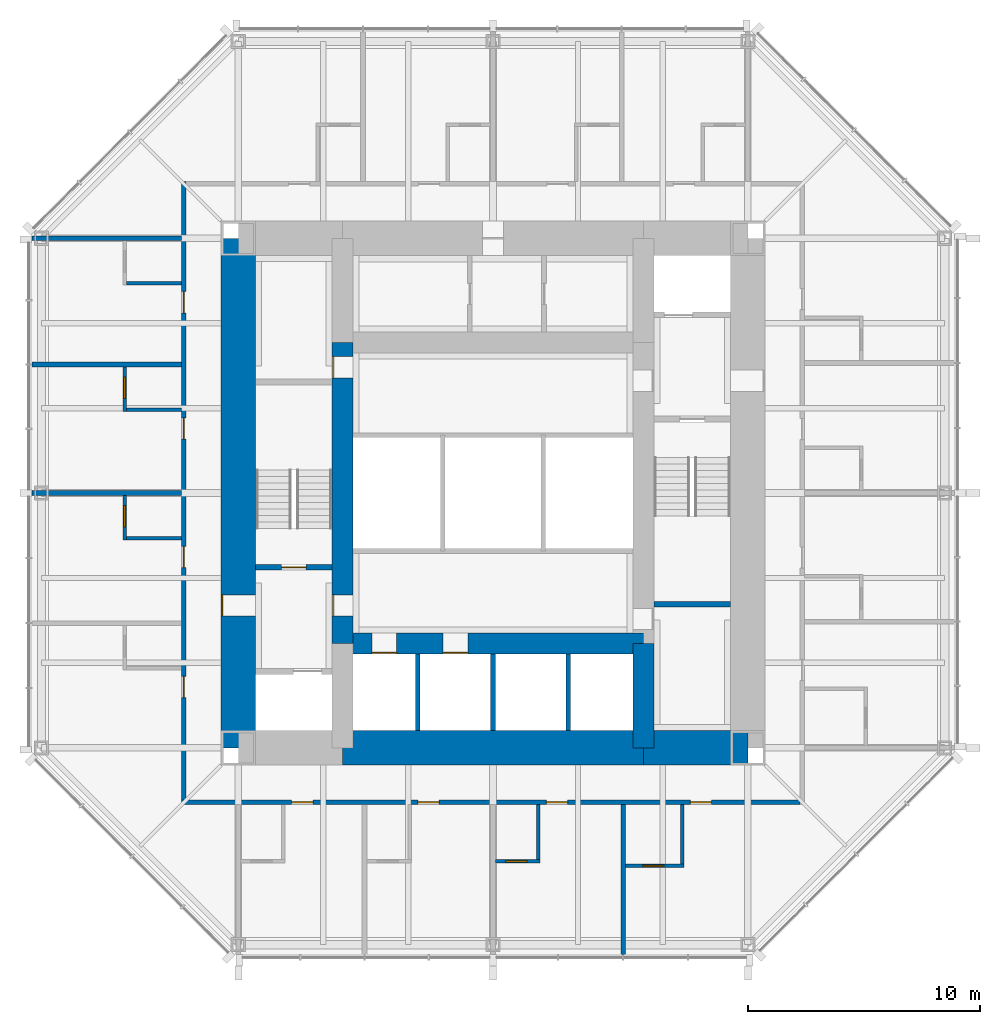
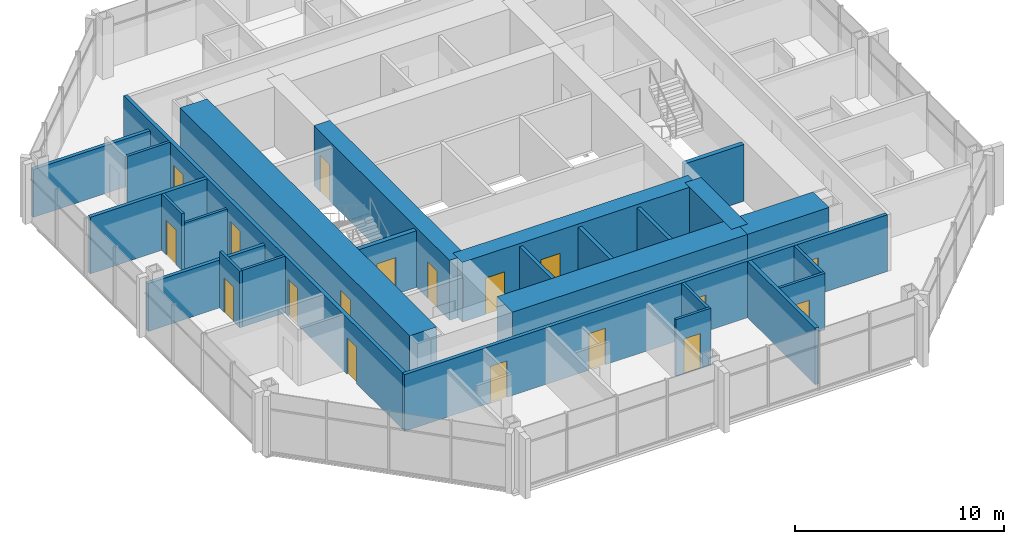
# One storey, part 8 of 12: 26 walls, 18 doors, 18 openings.
"""IFC4 building model written with IfcOpenShell, lengths in metres."""

from ifc_helpers import new_model, si_unit, direction, frame, frame_2d, origin, place, context, subcontext, project, spatial, rectangle, extrude, material, layer, layer_set, type_object, element, fill, save


model = new_model("IFC4")

# Units and contexts
model_context = context("Model", 3, precision=1e-05, world=origin(), true_north=direction((0.0, 1.0)))
body_context = subcontext(model_context, "Body", "Model", "MODEL_VIEW")
ifc_project = project(units=[si_unit("LENGTHUNIT", "METRE"), si_unit("AREAUNIT", "SQUARE_METRE"), si_unit("VOLUMEUNIT", "CUBIC_METRE"), si_unit("PLANEANGLEUNIT", "RADIAN"), si_unit("MASSUNIT", "GRAM", prefix="KILO")], contexts=[model_context])

# Site, building, storey
site_placement = place(None, origin())
site = spatial("IfcSite", under=ifc_project, at=site_placement, CompositionType="ELEMENT")
building_placement = place(site_placement, origin())
building = spatial("IfcBuilding", under=site, at=building_placement, Name="Trevanion Tower", CompositionType="ELEMENT")
storey_placement = place(building_placement, frame((0.0, 0.0, 190.699951171875)))
storey = spatial("IfcBuildingStorey", under=building, at=storey_placement, Name="L44", CompositionType="ELEMENT", Elevation=190.699951171875)

# Wall, opening, door
ifc_material_1 = material(Name="Concrete 10,000 psi", Category="concrete")
ifc_layer_1 = layer(ifc_material_1, 1.5)
ifc_layer_set_1 = layer_set([ifc_layer_1], Name="CW1 core wall 1500")
wall_type_1 = type_object("IfcWallType", Name="CW1 core wall 1500", PredefinedType="SHEAR", material=ifc_layer_set_1)
wall_1_placement = place(storey_placement, frame((-11.0, 11.0, 0.0), z_axis=(0.0, 0.0, 1.0), x_axis=(0.0, -1.0, 0.0)))
wall_1 = element("IfcWall", 1, at=wall_1_placement, inside=storey, type_object=wall_type_1, Name="CW1 CW L44", PredefinedType="SHEAR", context=body_context, shape_type="SweptSolid", body=[
    extrude(rectangle(XDim=22.0, YDim=1.5, at=frame_2d((11.0, 0.0))), origin(), (0.0, 0.0, 1.0), 3.5),
])
opening_1_placement = place(wall_1_placement, frame((15.392578125, 0.0, 0.0)))
opening_1 = element("IfcOpeningElement", 2, at=opening_1_placement, cuts=wall_1, Name="Opening 44-002", PredefinedType="OPENING", context=body_context, shape_type="SweptSolid", body=[
    extrude(rectangle(XDim=0.9150390625, YDim=2.134033203125, at=frame_2d((0.45751953125, 1.06689453125))), frame((0.0, 0.760009765625, 0.0), z_axis=(0.0, -1.0, 0.0), x_axis=(1.0, 0.0, 0.0)), (0.0, 0.0, 1.0), 1.52001953125),
])
ifc_material_2 = material(Name="Hollow metal, fire rated", Category="steel")
door_type_1 = type_object("IfcDoorType", Name="D3 fire lift lobby door", OperationType="SINGLE_SWING_RIGHT", PredefinedType="DOOR", material=ifc_material_2)
door_1_placement = place(opening_1_placement, origin())
door_1 = element("IfcDoor", 3, at=door_1_placement, inside=storey, type_object=door_type_1, Name="Door 44-002", OperationType="SINGLE_SWING_RIGHT", OverallHeight=2.134033203125, OverallWidth=0.9150390625, PredefinedType="DOOR", context=body_context, shape_type="SweptSolid", body=[
    extrude(rectangle(XDim=0.9150390625, YDim=2.134033203125, at=frame_2d((0.45751953125, 1.06689453125))), frame((0.0, -0.6748046875, 0.0), z_axis=(0.0, -1.0, 0.0), x_axis=(1.0, 0.0, 0.0)), (0.0, 0.0, 1.0), 0.050048828125),
])
fill(opening_1, door_1)

# Walls
wall_2_placement = place(storey_placement, frame((-6.5, -11.0, 0.0), z_axis=(0.0, 0.0, 1.0), x_axis=(1.0, 0.0, 0.0)))
element("IfcWall", 4, at=wall_2_placement, inside=storey, type_object=wall_type_1, Name="CW1 CS2 L44", PredefinedType="SHEAR", context=body_context, shape_type="SweptSolid", body=[
    extrude(rectangle(XDim=13.0, YDim=1.5, at=frame_2d((6.5, 0.0))), origin(), (0.0, 0.0, 1.0), 3.5),
])
wall_3_placement = place(storey_placement, frame((6.5, -11.0, 0.0), z_axis=(0.0, 0.0, 1.0), x_axis=(1.0, 0.0, 0.0)))
element("IfcWall", 5, at=wall_3_placement, inside=storey, type_object=wall_type_1, Name="CW1 CS3 L44", PredefinedType="SHEAR", context=body_context, shape_type="SweptSolid", body=[
    extrude(rectangle(XDim=4.5, YDim=1.5, at=frame_2d((2.25, 0.0))), origin(), (0.0, 0.0, 1.0), 3.5),
])
ifc_material_3 = material(Name="Concrete 10,000 psi", Category="concrete")
ifc_layer_2 = layer(ifc_material_3, 0.89990234375)
ifc_layer_set_2 = layer_set([ifc_layer_2], Name="CW2 core wall 900")
wall_type_2 = type_object("IfcWallType", Name="CW2 core wall 900", PredefinedType="SHEAR", material=ifc_layer_set_2)
wall_4_placement = place(storey_placement, frame((6.5, -11.0, 0.0), z_axis=(0.0, 0.0, 1.0), x_axis=(0.0, 1.0, 0.0)))
element("IfcWall", 6, at=wall_4_placement, inside=storey, type_object=wall_type_2, Name="CW2 RE1 L44", PredefinedType="SHEAR", context=body_context, shape_type="SweptSolid", body=[
    extrude(rectangle(XDim=4.5, YDim=0.89990234375, at=frame_2d((2.25, 0.0))), origin(), (0.0, 0.0, 1.0), 3.5),
])

# Wall, openings, doors
wall_5_placement = place(storey_placement, frame((-6.5, 6.5, 0.0), z_axis=(0.0, 0.0, 1.0), x_axis=(0.0, -1.0, 0.0)))
wall_5 = element("IfcWall", 7, at=wall_5_placement, inside=storey, type_object=wall_type_2, Name="CW2 RW2 L44", PredefinedType="SHEAR", context=body_context, shape_type="SweptSolid", body=[
    extrude(rectangle(XDim=13.0, YDim=0.89990234375, at=frame_2d((6.5, 0.0))), origin(), (0.0, 0.0, 1.0), 3.5),
])
opening_2_placement = place(wall_5_placement, frame((10.892578125, 0.0, 0.0)))
opening_2 = element("IfcOpeningElement", 8, at=opening_2_placement, cuts=wall_5, Name="Opening 44-004", PredefinedType="OPENING", context=body_context, shape_type="SweptSolid", body=[
    extrude(rectangle(XDim=0.9150390625, YDim=2.134033203125, at=frame_2d((0.45751953125, 1.06689453125))), frame((0.0, 0.4599609375, 0.0), z_axis=(0.0, -1.0, 0.0), x_axis=(1.0, 0.0, 0.0)), (0.0, 0.0, 1.0), 0.919921875),
])
opening_3_placement = place(wall_5_placement, frame((0.610107421875, 0.0, 0.0)))
opening_3 = element("IfcOpeningElement", 9, at=opening_3_placement, cuts=wall_5, Name="Opening 44-010", PredefinedType="OPENING", context=body_context, shape_type="SweptSolid", body=[
    extrude(rectangle(XDim=0.9150390625, YDim=2.134033203125, at=frame_2d((0.45751953125, 1.06689453125))), frame((0.0, 0.4599609375, 0.0), z_axis=(0.0, -1.0, 0.0), x_axis=(1.0, 0.0, 0.0)), (0.0, 0.0, 1.0), 0.919921875),
])
door_2_placement = place(opening_2_placement, origin())
door_2 = element("IfcDoor", 10, at=door_2_placement, inside=storey, type_object=door_type_1, Name="Door 44-004", OperationType="SINGLE_SWING_RIGHT", OverallHeight=2.134033203125, OverallWidth=0.9150390625, PredefinedType="DOOR", context=body_context, shape_type="SweptSolid", body=[
    extrude(rectangle(XDim=0.9150390625, YDim=2.134033203125, at=frame_2d((0.45751953125, 1.06689453125))), frame((0.0, -0.375, 0.0), z_axis=(0.0, -1.0, 0.0), x_axis=(1.0, 0.0, 0.0)), (0.0, 0.0, 1.0), 0.050048828125),
])
fill(opening_2, door_2)
ifc_material_4 = material(Name="Hollow metal, fire rated", Category="steel")
door_type_2 = type_object("IfcDoorType", Name="D5 service room door", OperationType="SINGLE_SWING_RIGHT", PredefinedType="DOOR", material=ifc_material_4)
door_3_placement = place(opening_3_placement, origin())
door_3 = element("IfcDoor", 11, at=door_3_placement, inside=storey, type_object=door_type_2, Name="Door 44-010", OperationType="SINGLE_SWING_RIGHT", OverallHeight=2.134033203125, OverallWidth=0.9150390625, PredefinedType="DOOR", context=body_context, shape_type="SweptSolid", body=[
    extrude(rectangle(XDim=0.9150390625, YDim=2.134033203125, at=frame_2d((0.45751953125, 1.06689453125))), frame((0.0, -0.375, 0.0), z_axis=(0.0, -1.0, 0.0), x_axis=(1.0, 0.0, 0.0)), (0.0, 0.0, 1.0), 0.050048828125),
])
fill(opening_3, door_3)

wall_6_placement = place(storey_placement, frame((-6.5, -6.5, 0.0), z_axis=(0.0, 0.0, 1.0), x_axis=(1.0, 0.0, 0.0)))
wall_6 = element("IfcWall", 12, at=wall_6_placement, inside=storey, type_object=wall_type_2, Name="CW2 RS L44", PredefinedType="SHEAR", context=body_context, shape_type="SweptSolid", body=[
    extrude(rectangle(XDim=13.0, YDim=0.89990234375, at=frame_2d((6.5, 0.0))), origin(), (0.0, 0.0, 1.0), 3.5),
])
opening_4_placement = place(wall_6_placement, frame((1.2666015625, 0.0, 0.0)))
opening_4 = element("IfcOpeningElement", 13, at=opening_4_placement, cuts=wall_6, Name="Opening 44-011", PredefinedType="OPENING", context=body_context, shape_type="SweptSolid", body=[
    extrude(rectangle(XDim=1.06689453125, YDim=2.134033203125, at=frame_2d((0.533447265625, 1.06689453125))), frame((0.0, 0.4599609375, 0.0), z_axis=(0.0, -1.0, 0.0), x_axis=(1.0, 0.0, 0.0)), (0.0, 0.0, 1.0), 0.919921875),
])
opening_5_placement = place(wall_6_placement, frame((4.341552734375, 0.0, 0.0)))
opening_5 = element("IfcOpeningElement", 14, at=opening_5_placement, cuts=wall_6, Name="Opening 44-012", PredefinedType="OPENING", context=body_context, shape_type="SweptSolid", body=[
    extrude(rectangle(XDim=1.06689453125, YDim=2.134033203125, at=frame_2d((0.533447265625, 1.06689453125))), frame((0.0, 0.4599609375, 0.0), z_axis=(0.0, -1.0, 0.0), x_axis=(1.0, 0.0, 0.0)), (0.0, 0.0, 1.0), 0.919921875),
])
ifc_material_5 = material(Name="Stainless steel, fire rated", Category="steel")
door_type_3 = type_object("IfcDoorType", Name="LD1 lift landing door", OperationType="SLIDING_TO_LEFT", PredefinedType="DOOR", material=ifc_material_5)
door_4_placement = place(opening_4_placement, origin())
door_4 = element("IfcDoor", 15, at=door_4_placement, inside=storey, type_object=door_type_3, Name="Door 44-011", OperationType="SLIDING_TO_LEFT", OverallHeight=2.134033203125, OverallWidth=1.06689453125, PredefinedType="DOOR", context=body_context, shape_type="SweptSolid", body=[
    extrude(rectangle(XDim=1.06689453125, YDim=2.134033203125, at=frame_2d((0.533447265625, 1.06689453125))), frame((0.0, -0.375, 0.0), z_axis=(0.0, -1.0, 0.0), x_axis=(1.0, 0.0, 0.0)), (0.0, 0.0, 1.0), 0.050048828125),
])
fill(opening_4, door_4)
door_5_placement = place(opening_5_placement, origin())
door_5 = element("IfcDoor", 16, at=door_5_placement, inside=storey, type_object=door_type_3, Name="Door 44-012", OperationType="SLIDING_TO_LEFT", OverallHeight=2.134033203125, OverallWidth=1.06689453125, PredefinedType="DOOR", context=body_context, shape_type="SweptSolid", body=[
    extrude(rectangle(XDim=1.06689453125, YDim=2.134033203125, at=frame_2d((0.533447265625, 1.06689453125))), frame((0.0, -0.375, 0.0), z_axis=(0.0, -1.0, 0.0), x_axis=(1.0, 0.0, 0.0)), (0.0, 0.0, 1.0), 0.050048828125),
])
fill(opening_5, door_5)

# Wall
ifc_material_6 = material(Name="Gypsum board on steel studs", Category="steel")
ifc_layer_3 = layer(ifc_material_6, 0.14990234375)
ifc_layer_set_3 = layer_set([ifc_layer_3], Name="PT1 partition 150")
wall_type_3 = type_object("IfcWallType", Name="PT1 partition 150", PredefinedType="PARTITIONING", material=ifc_layer_set_3)
wall_7_placement = place(storey_placement, frame((-13.449951171875, 9.050048828125, 0.0), z_axis=(0.0, 0.0, 1.0), x_axis=(-1.0, 0.0, 0.0)))
element("IfcWall", 17, at=wall_7_placement, inside=storey, type_object=wall_type_3, Name="PT1 L44 BB20", PredefinedType="PARTITIONING", context=body_context, shape_type="SweptSolid", body=[
    extrude(rectangle(XDim=2.375, YDim=0.14990234375, at=frame_2d((1.1875, 0.0))), origin(), (0.0, 0.0, 1.0), 3.31005859375),
])

# Wall, opening, door
wall_8_placement = place(storey_placement, frame((-15.89990234375, 5.448974609375, 0.0), z_axis=(0.0, 0.0, 1.0), x_axis=(0.0, -1.0, 0.0)))
wall_8 = element("IfcWall", 18, at=wall_8_placement, inside=storey, type_object=wall_type_3, Name="PT1 L44 BA21", PredefinedType="PARTITIONING", context=body_context, shape_type="SweptSolid", body=[
    extrude(rectangle(XDim=1.925048828125, YDim=0.14990234375, at=frame_2d((0.96240234375, 0.0))), origin(), (0.0, 0.0, 1.0), 3.31005859375),
])
opening_6_placement = place(wall_8_placement, frame((0.4423828125, 0.0, 0.0)))
opening_6 = element("IfcOpeningElement", 19, at=opening_6_placement, cuts=wall_8, Name="Opening 44-034", PredefinedType="OPENING", context=body_context, shape_type="SweptSolid", body=[
    extrude(rectangle(XDim=0.9150390625, YDim=2.031982421875, at=frame_2d((0.45751953125, 1.01611328125))), frame((0.0, 0.0849609375, 0.0), z_axis=(0.0, -1.0, 0.0), x_axis=(1.0, 0.0, 0.0)), (0.0, 0.0, 1.0), 0.169921875),
])
ifc_material_7 = material(Name="Timber veneer", Category="wood")
door_type_4 = type_object("IfcDoorType", Name="D7 bathroom door", OperationType="SINGLE_SWING_LEFT", PredefinedType="DOOR", material=ifc_material_7)
door_6_placement = place(opening_6_placement, origin())
door_6 = element("IfcDoor", 20, at=door_6_placement, inside=storey, type_object=door_type_4, Name="Door 44-034", OperationType="SINGLE_SWING_LEFT", OverallHeight=2.031982421875, OverallWidth=0.9150390625, PredefinedType="DOOR", context=body_context, shape_type="SweptSolid", body=[
    extrude(rectangle(XDim=0.9150390625, YDim=2.031982421875, at=frame_2d((0.45751953125, 1.01611328125))), frame((0.0, 0.02490234375, 0.0), z_axis=(0.0, -1.0, 0.0), x_axis=(1.0, 0.0, 0.0)), (0.0, 0.0, 1.0), 0.050048828125),
])
fill(opening_6, door_6)

# Wall
wall_9_placement = place(storey_placement, frame((-13.449951171875, 3.59912109375, 0.0), z_axis=(0.0, 0.0, 1.0), x_axis=(-1.0, 0.0, 0.0)))
element("IfcWall", 21, at=wall_9_placement, inside=storey, type_object=wall_type_3, Name="PT1 L44 BB21", PredefinedType="PARTITIONING", context=body_context, shape_type="SweptSolid", body=[
    extrude(rectangle(XDim=2.375, YDim=0.14990234375, at=frame_2d((1.1875, 0.0))), origin(), (0.0, 0.0, 1.0), 2.703125),
])

# Wall, opening, door
wall_10_placement = place(storey_placement, frame((-15.89990234375, -0.10009765625, 0.0), z_axis=(0.0, 0.0, 1.0), x_axis=(0.0, -1.0, 0.0)))
wall_10 = element("IfcWall", 22, at=wall_10_placement, inside=storey, type_object=wall_type_3, Name="PT1 L44 BA22", PredefinedType="PARTITIONING", context=body_context, shape_type="SweptSolid", body=[
    extrude(rectangle(XDim=1.9248046875, YDim=0.14990234375, at=frame_2d((0.96240234375, 0.0))), origin(), (0.0, 0.0, 1.0), 3.31005859375),
])
opening_7_placement = place(wall_10_placement, frame((0.4423828125, 0.0, 0.0)))
opening_7 = element("IfcOpeningElement", 23, at=opening_7_placement, cuts=wall_10, Name="Opening 44-036", PredefinedType="OPENING", context=body_context, shape_type="SweptSolid", body=[
    extrude(rectangle(XDim=0.9150390625, YDim=2.031982421875, at=frame_2d((0.45751953125, 1.01611328125))), frame((0.0, 0.0849609375, 0.0), z_axis=(0.0, -1.0, 0.0), x_axis=(1.0, 0.0, 0.0)), (0.0, 0.0, 1.0), 0.169921875),
])
door_7_placement = place(opening_7_placement, origin())
door_7 = element("IfcDoor", 24, at=door_7_placement, inside=storey, type_object=door_type_4, Name="Door 44-036", OperationType="SINGLE_SWING_LEFT", OverallHeight=2.031982421875, OverallWidth=0.9150390625, PredefinedType="DOOR", context=body_context, shape_type="SweptSolid", body=[
    extrude(rectangle(XDim=0.9150390625, YDim=2.031982421875, at=frame_2d((0.45751953125, 1.01611328125))), frame((0.0, 0.02490234375, 0.0), z_axis=(0.0, -1.0, 0.0), x_axis=(1.0, 0.0, 0.0)), (0.0, 0.0, 1.0), 0.050048828125),
])
fill(opening_7, door_7)

# Wall
wall_11_placement = place(storey_placement, frame((-13.449951171875, -1.949951171875, 0.0), z_axis=(0.0, 0.0, 1.0), x_axis=(-1.0, 0.0, 0.0)))
element("IfcWall", 25, at=wall_11_placement, inside=storey, type_object=wall_type_3, Name="PT1 L44 BB22", PredefinedType="PARTITIONING", context=body_context, shape_type="SweptSolid", body=[
    extrude(rectangle(XDim=2.375, YDim=0.14990234375, at=frame_2d((1.1875, 0.0))), origin(), (0.0, 0.0, 1.0), 3.31005859375),
])

# Wall, opening, door
wall_12_placement = place(storey_placement, frame((0.10009765625, -15.89990234375, 0.0), z_axis=(0.0, 0.0, 1.0), x_axis=(1.0, 0.0, 0.0)))
wall_12 = element("IfcWall", 26, at=wall_12_placement, inside=storey, type_object=wall_type_3, Name="PT1 L44 BA32", PredefinedType="PARTITIONING", context=body_context, shape_type="SweptSolid", body=[
    extrude(rectangle(XDim=1.9248046875, YDim=0.14990234375, at=frame_2d((0.96240234375, 0.0))), origin(), (0.0, 0.0, 1.0), 3.31005859375),
])
opening_8_placement = place(wall_12_placement, frame((0.4423828125, 0.0, 0.0)))
opening_8 = element("IfcOpeningElement", 27, at=opening_8_placement, cuts=wall_12, Name="Opening 44-044", PredefinedType="OPENING", context=body_context, shape_type="SweptSolid", body=[
    extrude(rectangle(XDim=0.9150390625, YDim=2.031982421875, at=frame_2d((0.45751953125, 1.01611328125))), frame((0.0, 0.0849609375, 0.0), z_axis=(0.0, -1.0, 0.0), x_axis=(1.0, 0.0, 0.0)), (0.0, 0.0, 1.0), 0.169921875),
])
door_8_placement = place(opening_8_placement, origin())
door_8 = element("IfcDoor", 28, at=door_8_placement, inside=storey, type_object=door_type_4, Name="Door 44-044", OperationType="SINGLE_SWING_LEFT", OverallHeight=2.031982421875, OverallWidth=0.9150390625, PredefinedType="DOOR", context=body_context, shape_type="SweptSolid", body=[
    extrude(rectangle(XDim=0.9150390625, YDim=2.031982421875, at=frame_2d((0.45751953125, 1.01611328125))), frame((0.0, 0.02490234375, 0.0), z_axis=(0.0, -1.0, 0.0), x_axis=(1.0, 0.0, 0.0)), (0.0, 0.0, 1.0), 0.050048828125),
])
fill(opening_8, door_8)

# Wall
wall_13_placement = place(storey_placement, frame((1.949951171875, -13.449951171875, 0.0), z_axis=(0.0, 0.0, 1.0), x_axis=(0.0, -1.0, 0.0)))
element("IfcWall", 29, at=wall_13_placement, inside=storey, type_object=wall_type_3, Name="PT1 L44 BB32", PredefinedType="PARTITIONING", context=body_context, shape_type="SweptSolid", body=[
    extrude(rectangle(XDim=2.375, YDim=0.14990234375, at=frame_2d((1.1875, 0.0))), origin(), (0.0, 0.0, 1.0), 3.31005859375),
])

# Wall, opening, door
wall_14_placement = place(storey_placement, frame((5.714111328125, -16.10009765625, 0.0), z_axis=(0.0, 0.0, 1.0), x_axis=(1.0, 0.0, 0.0)))
wall_14 = element("IfcWall", 30, at=wall_14_placement, inside=storey, type_object=wall_type_3, Name="PT1 L44 BA33", PredefinedType="PARTITIONING", context=body_context, shape_type="SweptSolid", body=[
    extrude(rectangle(XDim=2.52490234375, YDim=0.14990234375, at=frame_2d((1.262451171875, 0.0))), origin(), (0.0, 0.0, 1.0), 3.31005859375),
])
opening_9_placement = place(wall_14_placement, frame((0.742431640625, 0.0, 0.0)))
opening_9 = element("IfcOpeningElement", 31, at=opening_9_placement, cuts=wall_14, Name="Opening 44-046", PredefinedType="OPENING", context=body_context, shape_type="SweptSolid", body=[
    extrude(rectangle(XDim=0.9150390625, YDim=2.031982421875, at=frame_2d((0.45751953125, 1.01611328125))), frame((0.0, 0.0849609375, 0.0), z_axis=(0.0, -1.0, 0.0), x_axis=(1.0, 0.0, 0.0)), (0.0, 0.0, 1.0), 0.169921875),
])
door_9_placement = place(opening_9_placement, origin())
door_9 = element("IfcDoor", 32, at=door_9_placement, inside=storey, type_object=door_type_4, Name="Door 44-046", OperationType="SINGLE_SWING_LEFT", OverallHeight=2.031982421875, OverallWidth=0.9150390625, PredefinedType="DOOR", context=body_context, shape_type="SweptSolid", body=[
    extrude(rectangle(XDim=0.9150390625, YDim=2.031982421875, at=frame_2d((0.45751953125, 1.01611328125))), frame((0.0, 0.02490234375, 0.0), z_axis=(0.0, -1.0, 0.0), x_axis=(1.0, 0.0, 0.0)), (0.0, 0.0, 1.0), 0.050048828125),
])
fill(opening_9, door_9)

# Wall
wall_15_placement = place(storey_placement, frame((8.1640625, -13.449951171875, 0.0), z_axis=(0.0, 0.0, 1.0), x_axis=(0.0, -1.0, 0.0)))
element("IfcWall", 33, at=wall_15_placement, inside=storey, type_object=wall_type_3, Name="PT1 L44 BB33", PredefinedType="PARTITIONING", context=body_context, shape_type="SweptSolid", body=[
    extrude(rectangle(XDim=2.574951171875, YDim=0.14990234375, at=frame_2d((1.28759765625, 0.0))), origin(), (0.0, 0.0, 1.0), 3.31005859375),
])

# Wall, openings, doors
ifc_material_8 = material(Name="Concrete masonry, grouted", Category="masonry")
ifc_layer_4 = layer(ifc_material_8, 0.199951171875)
ifc_layer_set_4 = layer_set([ifc_layer_4], Name="PT2 partition 200 1 HR")
wall_type_4 = type_object("IfcWallType", Name="PT2 partition 200 1 HR", PredefinedType="PARTITIONING", material=ifc_layer_set_4)
wall_16_placement = place(storey_placement, frame((-13.35009765625, 13.449951171875, 0.0), z_axis=(0.0, 0.0, 1.0), x_axis=(0.0, -1.0, 0.0)))
wall_16 = element("IfcWall", 34, at=wall_16_placement, inside=storey, type_object=wall_type_4, Name="PT2 L44 HC2", PredefinedType="PARTITIONING", context=body_context, shape_type="SweptSolid", body=[
    extrude(rectangle(XDim=26.699951171875, YDim=0.199951171875, at=frame_2d((13.35009765625, 0.0))), origin(), (0.0, 0.0, 1.0), 3.31005859375),
])
opening_10_placement = place(wall_16_placement, frame((4.75244140625, 0.0, 0.0)))
opening_10 = element("IfcOpeningElement", 35, at=opening_10_placement, cuts=wall_16, Name="Opening 44-033", PredefinedType="OPENING", context=body_context, shape_type="SweptSolid", body=[
    extrude(rectangle(XDim=0.9150390625, YDim=2.134033203125, at=frame_2d((0.45751953125, 1.06689453125))), frame((0.0, 0.10986328125, 0.0), z_axis=(0.0, -1.0, 0.0), x_axis=(1.0, 0.0, 0.0)), (0.0, 0.0, 1.0), 0.219970703125),
])
opening_11_placement = place(wall_16_placement, frame((10.20361328125, 0.0, 0.0)))
opening_11 = element("IfcOpeningElement", 36, at=opening_11_placement, cuts=wall_16, Name="Opening 44-035", PredefinedType="OPENING", context=body_context, shape_type="SweptSolid", body=[
    extrude(rectangle(XDim=0.9150390625, YDim=2.134033203125, at=frame_2d((0.45751953125, 1.06689453125))), frame((0.0, 0.10986328125, 0.0), z_axis=(0.0, -1.0, 0.0), x_axis=(1.0, 0.0, 0.0)), (0.0, 0.0, 1.0), 0.219970703125),
])
opening_12_placement = place(wall_16_placement, frame((15.75244140625, 0.0, 0.0)))
opening_12 = element("IfcOpeningElement", 37, at=opening_12_placement, cuts=wall_16, Name="Opening 44-037", PredefinedType="OPENING", context=body_context, shape_type="SweptSolid", body=[
    extrude(rectangle(XDim=0.9150390625, YDim=2.134033203125, at=frame_2d((0.45751953125, 1.06689453125))), frame((0.0, 0.10986328125, 0.0), z_axis=(0.0, -1.0, 0.0), x_axis=(1.0, 0.0, 0.0)), (0.0, 0.0, 1.0), 0.219970703125),
])
opening_13_placement = place(wall_16_placement, frame((21.366455078125, 0.0, 0.0)))
opening_13 = element("IfcOpeningElement", 38, at=opening_13_placement, cuts=wall_16, Name="Opening 44-039", PredefinedType="OPENING", context=body_context, shape_type="SweptSolid", body=[
    extrude(rectangle(XDim=0.9150390625, YDim=2.134033203125, at=frame_2d((0.45751953125, 1.06689453125))), frame((0.0, 0.10986328125, 0.0), z_axis=(0.0, -1.0, 0.0), x_axis=(1.0, 0.0, 0.0)), (0.0, 0.0, 1.0), 0.219970703125),
])
ifc_material_9 = material(Name="Timber veneer, fire rated", Category="wood")
door_type_5 = type_object("IfcDoorType", Name="D6 guest room entrance door", OperationType="SINGLE_SWING_LEFT", PredefinedType="DOOR", material=ifc_material_9)
door_10_placement = place(opening_10_placement, origin())
door_10 = element("IfcDoor", 39, at=door_10_placement, inside=storey, type_object=door_type_5, Name="Door 44-033", OperationType="SINGLE_SWING_LEFT", OverallHeight=2.134033203125, OverallWidth=0.9150390625, PredefinedType="DOOR", context=body_context, shape_type="SweptSolid", body=[
    extrude(rectangle(XDim=0.9150390625, YDim=2.134033203125, at=frame_2d((0.45751953125, 1.06689453125))), frame((0.0, 0.02490234375, 0.0), z_axis=(0.0, -1.0, 0.0), x_axis=(1.0, 0.0, 0.0)), (0.0, 0.0, 1.0), 0.050048828125),
])
fill(opening_10, door_10)
door_11_placement = place(opening_11_placement, origin())
door_11 = element("IfcDoor", 40, at=door_11_placement, inside=storey, type_object=door_type_5, Name="Door 44-035", OperationType="SINGLE_SWING_LEFT", OverallHeight=2.134033203125, OverallWidth=0.9150390625, PredefinedType="DOOR", context=body_context, shape_type="SweptSolid", body=[
    extrude(rectangle(XDim=0.9150390625, YDim=2.134033203125, at=frame_2d((0.45751953125, 1.06689453125))), frame((0.0, 0.02490234375, 0.0), z_axis=(0.0, -1.0, 0.0), x_axis=(1.0, 0.0, 0.0)), (0.0, 0.0, 1.0), 0.050048828125),
])
fill(opening_11, door_11)
door_12_placement = place(opening_12_placement, origin())
door_12 = element("IfcDoor", 41, at=door_12_placement, inside=storey, type_object=door_type_5, Name="Door 44-037", OperationType="SINGLE_SWING_LEFT", OverallHeight=2.134033203125, OverallWidth=0.9150390625, PredefinedType="DOOR", context=body_context, shape_type="SweptSolid", body=[
    extrude(rectangle(XDim=0.9150390625, YDim=2.134033203125, at=frame_2d((0.45751953125, 1.06689453125))), frame((0.0, 0.02490234375, 0.0), z_axis=(0.0, -1.0, 0.0), x_axis=(1.0, 0.0, 0.0)), (0.0, 0.0, 1.0), 0.050048828125),
])
fill(opening_12, door_12)
door_13_placement = place(opening_13_placement, origin())
door_13 = element("IfcDoor", 42, at=door_13_placement, inside=storey, type_object=door_type_5, Name="Door 44-039", OperationType="SINGLE_SWING_LEFT", OverallHeight=2.134033203125, OverallWidth=0.9150390625, PredefinedType="DOOR", context=body_context, shape_type="SweptSolid", body=[
    extrude(rectangle(XDim=0.9150390625, YDim=2.134033203125, at=frame_2d((0.45751953125, 1.06689453125))), frame((0.0, 0.02490234375, 0.0), z_axis=(0.0, -1.0, 0.0), x_axis=(1.0, 0.0, 0.0)), (0.0, 0.0, 1.0), 0.050048828125),
])
fill(opening_13, door_13)

wall_17_placement = place(storey_placement, frame((-13.449951171875, -13.35009765625, 0.0), z_axis=(0.0, 0.0, 1.0), x_axis=(1.0, 0.0, 0.0)))
wall_17 = element("IfcWall", 43, at=wall_17_placement, inside=storey, type_object=wall_type_4, Name="PT2 L44 HC3", PredefinedType="PARTITIONING", context=body_context, shape_type="SweptSolid", body=[
    extrude(rectangle(XDim=26.699951171875, YDim=0.199951171875, at=frame_2d((13.35009765625, 0.0))), origin(), (0.0, 0.0, 1.0), 3.31005859375),
])
opening_14_placement = place(wall_17_placement, frame((4.75244140625, 0.0, 0.0)))
opening_14 = element("IfcOpeningElement", 44, at=opening_14_placement, cuts=wall_17, Name="Opening 44-041", PredefinedType="OPENING", context=body_context, shape_type="SweptSolid", body=[
    extrude(rectangle(XDim=0.9150390625, YDim=2.134033203125, at=frame_2d((0.45751953125, 1.06689453125))), frame((0.0, 0.10986328125, 0.0), z_axis=(0.0, -1.0, 0.0), x_axis=(1.0, 0.0, 0.0)), (0.0, 0.0, 1.0), 0.219970703125),
])
opening_15_placement = place(wall_17_placement, frame((10.20361328125, 0.0, 0.0)))
opening_15 = element("IfcOpeningElement", 45, at=opening_15_placement, cuts=wall_17, Name="Opening 44-043", PredefinedType="OPENING", context=body_context, shape_type="SweptSolid", body=[
    extrude(rectangle(XDim=0.9150390625, YDim=2.134033203125, at=frame_2d((0.45751953125, 1.06689453125))), frame((0.0, 0.10986328125, 0.0), z_axis=(0.0, -1.0, 0.0), x_axis=(1.0, 0.0, 0.0)), (0.0, 0.0, 1.0), 0.219970703125),
])
opening_16_placement = place(wall_17_placement, frame((15.75244140625, 0.0, 0.0)))
opening_16 = element("IfcOpeningElement", 46, at=opening_16_placement, cuts=wall_17, Name="Opening 44-045", PredefinedType="OPENING", context=body_context, shape_type="SweptSolid", body=[
    extrude(rectangle(XDim=0.9150390625, YDim=2.134033203125, at=frame_2d((0.45751953125, 1.06689453125))), frame((0.0, 0.10986328125, 0.0), z_axis=(0.0, -1.0, 0.0), x_axis=(1.0, 0.0, 0.0)), (0.0, 0.0, 1.0), 0.219970703125),
])
opening_17_placement = place(wall_17_placement, frame((21.966552734375, 0.0, 0.0)))
opening_17 = element("IfcOpeningElement", 47, at=opening_17_placement, cuts=wall_17, Name="Opening 44-047", PredefinedType="OPENING", context=body_context, shape_type="SweptSolid", body=[
    extrude(rectangle(XDim=0.9150390625, YDim=2.134033203125, at=frame_2d((0.45751953125, 1.06689453125))), frame((0.0, 0.10986328125, 0.0), z_axis=(0.0, -1.0, 0.0), x_axis=(1.0, 0.0, 0.0)), (0.0, 0.0, 1.0), 0.219970703125),
])
door_14_placement = place(opening_14_placement, origin())
door_14 = element("IfcDoor", 48, at=door_14_placement, inside=storey, type_object=door_type_5, Name="Door 44-041", OperationType="SINGLE_SWING_LEFT", OverallHeight=2.134033203125, OverallWidth=0.9150390625, PredefinedType="DOOR", context=body_context, shape_type="SweptSolid", body=[
    extrude(rectangle(XDim=0.9150390625, YDim=2.134033203125, at=frame_2d((0.45751953125, 1.06689453125))), frame((0.0, 0.02490234375, 0.0), z_axis=(0.0, -1.0, 0.0), x_axis=(1.0, 0.0, 0.0)), (0.0, 0.0, 1.0), 0.050048828125),
])
fill(opening_14, door_14)
door_15_placement = place(opening_15_placement, origin())
door_15 = element("IfcDoor", 49, at=door_15_placement, inside=storey, type_object=door_type_5, Name="Door 44-043", OperationType="SINGLE_SWING_LEFT", OverallHeight=2.134033203125, OverallWidth=0.9150390625, PredefinedType="DOOR", context=body_context, shape_type="SweptSolid", body=[
    extrude(rectangle(XDim=0.9150390625, YDim=2.134033203125, at=frame_2d((0.45751953125, 1.06689453125))), frame((0.0, 0.02490234375, 0.0), z_axis=(0.0, -1.0, 0.0), x_axis=(1.0, 0.0, 0.0)), (0.0, 0.0, 1.0), 0.050048828125),
])
fill(opening_15, door_15)
door_16_placement = place(opening_16_placement, origin())
door_16 = element("IfcDoor", 50, at=door_16_placement, inside=storey, type_object=door_type_5, Name="Door 44-045", OperationType="SINGLE_SWING_LEFT", OverallHeight=2.134033203125, OverallWidth=0.9150390625, PredefinedType="DOOR", context=body_context, shape_type="SweptSolid", body=[
    extrude(rectangle(XDim=0.9150390625, YDim=2.134033203125, at=frame_2d((0.45751953125, 1.06689453125))), frame((0.0, 0.02490234375, 0.0), z_axis=(0.0, -1.0, 0.0), x_axis=(1.0, 0.0, 0.0)), (0.0, 0.0, 1.0), 0.050048828125),
])
fill(opening_16, door_16)
door_17_placement = place(opening_17_placement, origin())
door_17 = element("IfcDoor", 51, at=door_17_placement, inside=storey, type_object=door_type_5, Name="Door 44-047", OperationType="SINGLE_SWING_LEFT", OverallHeight=2.134033203125, OverallWidth=0.9150390625, PredefinedType="DOOR", context=body_context, shape_type="SweptSolid", body=[
    extrude(rectangle(XDim=0.9150390625, YDim=2.134033203125, at=frame_2d((0.45751953125, 1.06689453125))), frame((0.0, 0.02490234375, 0.0), z_axis=(0.0, -1.0, 0.0), x_axis=(1.0, 0.0, 0.0)), (0.0, 0.0, 1.0), 0.050048828125),
])
fill(opening_17, door_17)

# Walls
wall_18_placement = place(storey_placement, frame((-13.449951171875, 11.0, 0.0), z_axis=(0.0, 0.0, 1.0), x_axis=(-1.0, 0.0, 0.0)))
element("IfcWall", 52, at=wall_18_placement, inside=storey, type_object=wall_type_4, Name="PT2 L44 HD20", PredefinedType="PARTITIONING", context=body_context, shape_type="SweptSolid", body=[
    extrude(rectangle(XDim=6.465087890625, YDim=0.199951171875, at=frame_2d((3.232421875, 0.0))), origin(), (0.0, 0.0, 1.0), 2.802001953125),
])
wall_19_placement = place(storey_placement, frame((-13.449951171875, 5.549072265625, 0.0), z_axis=(0.0, 0.0, 1.0), x_axis=(-1.0, 0.0, 0.0)))
element("IfcWall", 53, at=wall_19_placement, inside=storey, type_object=wall_type_4, Name="PT2 L44 HD21", PredefinedType="PARTITIONING", context=body_context, shape_type="SweptSolid", body=[
    extrude(rectangle(XDim=6.465087890625, YDim=0.199951171875, at=frame_2d((3.232421875, 0.0))), origin(), (0.0, 0.0, 1.0), 3.31005859375),
])
wall_20_placement = place(storey_placement, frame((-13.449951171875, 0.0, 0.0), z_axis=(0.0, 0.0, 1.0), x_axis=(-1.0, 0.0, 0.0)))
element("IfcWall", 54, at=wall_20_placement, inside=storey, type_object=wall_type_4, Name="PT2 L44 HD22", PredefinedType="PARTITIONING", context=body_context, shape_type="SweptSolid", body=[
    extrude(rectangle(XDim=6.465087890625, YDim=0.199951171875, at=frame_2d((3.232421875, 0.0))), origin(), (0.0, 0.0, 1.0), 2.802001953125),
])
wall_21_placement = place(storey_placement, frame((5.614013671875, -13.449951171875, 0.0), z_axis=(0.0, 0.0, 1.0), x_axis=(0.0, -1.0, 0.0)))
element("IfcWall", 55, at=wall_21_placement, inside=storey, type_object=wall_type_4, Name="PT2 L44 HD33", PredefinedType="PARTITIONING", context=body_context, shape_type="SweptSolid", body=[
    extrude(rectangle(XDim=6.465087890625, YDim=0.199951171875, at=frame_2d((3.232421875, 0.0))), origin(), (0.0, 0.0, 1.0), 3.31005859375),
])
ifc_material_10 = material(Name="Concrete masonry, grouted", Category="masonry")
ifc_layer_5 = layer(ifc_material_10, 0.199951171875)
ifc_layer_set_5 = layer_set([ifc_layer_5], Name="PT2 partition 200 2 HR")
wall_type_5 = type_object("IfcWallType", Name="PT2 partition 200 2 HR", PredefinedType="PARTITIONING", material=ifc_layer_set_5)
for number, where, z_axis, x_axis, name in (
    (56, (-3.25, -10.25, 0.0), (0.0, 0.0, 1.0), (0.0, 1.0, 0.0), "PT2 L44 SS0"),
    (57, (0.0, -10.25, 0.0), (0.0, 0.0, 1.0), (0.0, 1.0, 0.0), "PT2 L44 SS1"),
    (58, (3.25, -10.25, 0.0), (0.0, 0.0, 1.0), (0.0, 1.0, 0.0), "PT2 L44 SS2"),
):
    element("IfcWall", number, at=place(storey_placement, frame(where, z_axis=z_axis, x_axis=x_axis)), inside=storey, type_object=wall_type_5, Name=name, PredefinedType="PARTITIONING", context=body_context, shape_type="SweptSolid", body=[
        extrude(rectangle(XDim=3.300048828125, YDim=0.199951171875, at=frame_2d((1.64990234375, 0.0))), origin(), (0.0, 0.0, 1.0), 3.31005859375),
    ])
ifc_material_11 = material(Name="Reinforced masonry, fully grouted", Category="masonry")
ifc_layer_6 = layer(ifc_material_11, 0.25)
ifc_layer_set_6 = layer_set([ifc_layer_6], Name="SW1 stair shaft wall 250")
wall_type_6 = type_object("IfcWallType", Name="SW1 stair shaft wall 250", PredefinedType="SOLIDWALL", material=ifc_layer_set_6)
wall_22_placement = place(storey_placement, frame((6.949951171875, -4.800048828125, 0.0), z_axis=(0.0, 0.0, 1.0), x_axis=(1.0, 0.0, 0.0)))
element("IfcWall", 59, at=wall_22_placement, inside=storey, type_object=wall_type_6, Name="SW1 L44 EP1", PredefinedType="SOLIDWALL", context=body_context, shape_type="SweptSolid", body=[
    extrude(rectangle(XDim=3.300048828125, YDim=0.25, at=frame_2d((1.64990234375, 0.0))), origin(), (0.0, 0.0, 1.0), 3.31005859375),
])

# Wall, opening, door
wall_23_placement = place(storey_placement, frame((-6.949951171875, -3.199951171875, 0.0), z_axis=(0.0, 0.0, 1.0), x_axis=(-1.0, 0.0, 0.0)))
wall_23 = element("IfcWall", 60, at=wall_23_placement, inside=storey, type_object=wall_type_6, Name="SW1 L44 WP2", PredefinedType="SOLIDWALL", context=body_context, shape_type="SweptSolid", body=[
    extrude(rectangle(XDim=3.300048828125, YDim=0.25, at=frame_2d((1.64990234375, 0.0))), origin(), (0.0, 0.0, 1.0), 3.31005859375),
])
opening_18_placement = place(wall_23_placement, frame((1.116455078125, 0.0, 0.0)))
opening_18 = element("IfcOpeningElement", 61, at=opening_18_placement, cuts=wall_23, Name="Opening 44-006", PredefinedType="OPENING", context=body_context, shape_type="SweptSolid", body=[
    extrude(rectangle(XDim=1.06689453125, YDim=2.134033203125, at=frame_2d((0.533447265625, 1.06689453125))), frame((0.0, 0.135009765625, 0.0), z_axis=(0.0, -1.0, 0.0), x_axis=(1.0, 0.0, 0.0)), (0.0, 0.0, 1.0), 0.27001953125),
])
ifc_material_12 = material(Name="Hollow metal, fire rated", Category="steel")
door_type_6 = type_object("IfcDoorType", Name="D2 exit stair door", OperationType="SINGLE_SWING_LEFT", PredefinedType="DOOR", material=ifc_material_12)
door_18_placement = place(opening_18_placement, origin())
door_18 = element("IfcDoor", 62, at=door_18_placement, inside=storey, type_object=door_type_6, Name="Door 44-006", OperationType="SINGLE_SWING_LEFT", OverallHeight=2.134033203125, OverallWidth=1.06689453125, PredefinedType="DOOR", context=body_context, shape_type="SweptSolid", body=[
    extrude(rectangle(XDim=1.06689453125, YDim=2.134033203125, at=frame_2d((0.533447265625, 1.06689453125))), frame((0.0, 0.02490234375, 0.0), z_axis=(0.0, -1.0, 0.0), x_axis=(1.0, 0.0, 0.0)), (0.0, 0.0, 1.0), 0.050048828125),
])
fill(opening_18, door_18)

save(model, "model.ifc")
